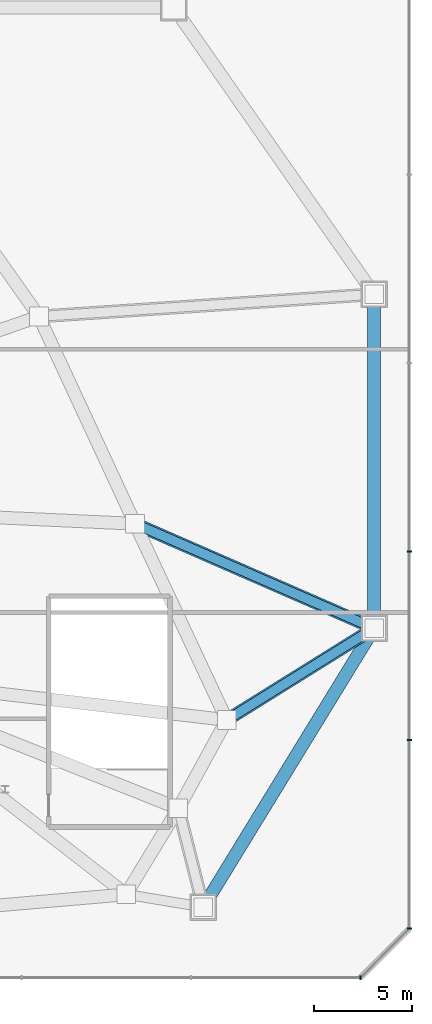
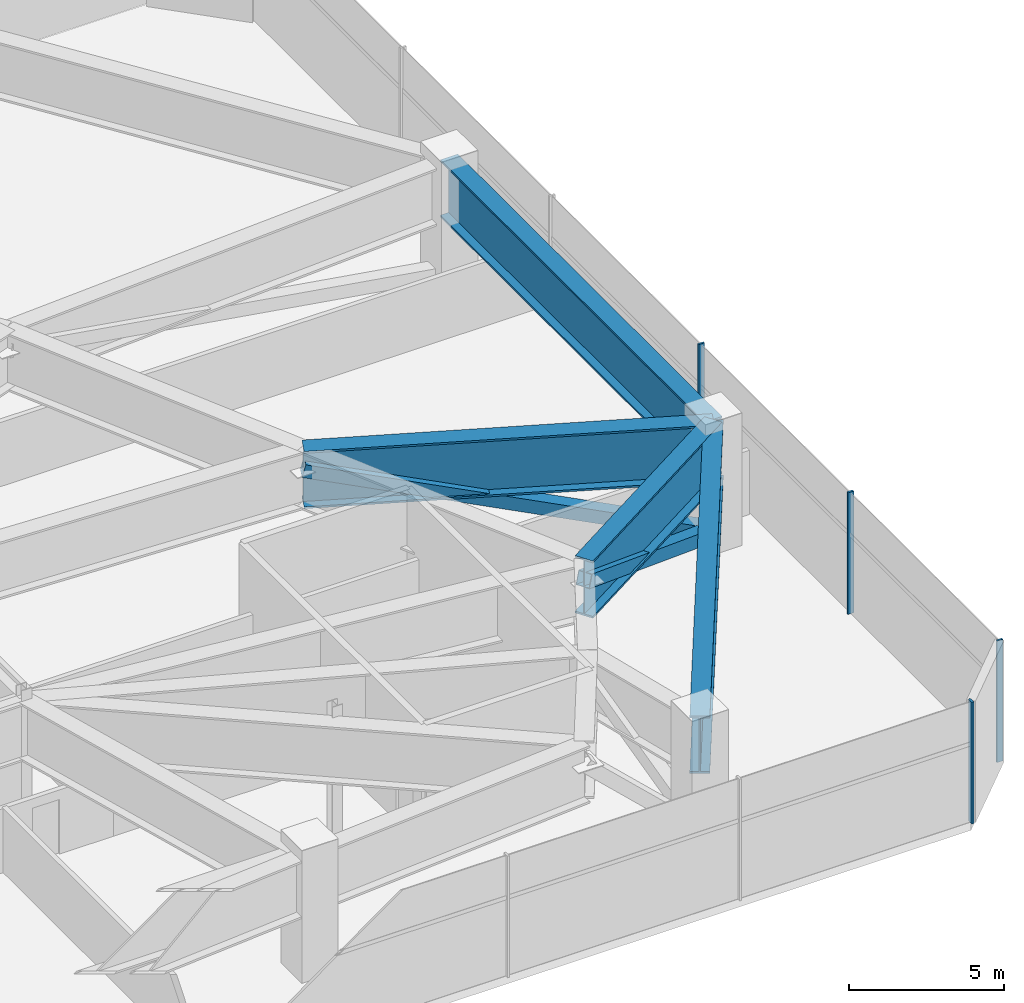
# One storey, part 17 of 29: 6 members, 4 beams, 2 elements without a shape of their own.
"""IFC4 building model written with IfcOpenShell, lengths in metres."""

from ifc_helpers import new_model, si_unit, direction, frame, origin, origin_2d, place, context, subcontext, project, spatial, rectangle, hollow_rectangle, i_section, extrude, source, transform, mapped, material, layer, layer_set, material_profile, profile_set, type_object, type_shapes, element, aggregate, save


model = new_model("IFC4")

# Units and contexts
model_context = context("Model", 3, precision=1e-05, world=origin(), true_north=direction((0.0, 1.0)))
body_context = subcontext(model_context, "Body", "Model", "MODEL_VIEW")
ifc_project = project(units=[si_unit("LENGTHUNIT", "METRE"), si_unit("AREAUNIT", "SQUARE_METRE"), si_unit("VOLUMEUNIT", "CUBIC_METRE"), si_unit("PLANEANGLEUNIT", "RADIAN"), si_unit("MASSUNIT", "GRAM", prefix="KILO")], contexts=[model_context])

# Site, building, storey
site_placement = place(None, origin())
site = spatial("IfcSite", under=ifc_project, at=site_placement, CompositionType="ELEMENT")
building_placement = place(site_placement, origin())
building = spatial("IfcBuilding", under=site, at=building_placement, Name="Varakhsha Concourse Tower", CompositionType="ELEMENT")
storey_placement = place(building_placement, frame((0.0, 0.0, 22.0)))
storey = spatial("IfcBuildingStorey", under=building, at=storey_placement, Name="L05", CompositionType="ELEMENT", Elevation=22.0)

# Beams
ifc_material_1 = material(Name="Structural Steel ASTM A992 Grade 50", Category="steel")
ifc_material_profile_1 = material_profile(ifc_material_1, i_section(OverallWidth=0.64990234375, OverallDepth=2.25, WebThickness=0.0400390625, FlangeThickness=0.074951171875, at=origin_2d()), Name="PG 2250x650x75x40")
ifc_profile_set_1 = profile_set([ifc_material_profile_1], Name="Structural Steel ASTM A992 Grade 50")
beam_type = type_object("IfcBeamType", Name="BM-XFER-PG1650", PredefinedType="USERDEFINED", material=ifc_profile_set_1)
beam_1_placement = place(storey_placement, frame((66.5, 4.60009765625, 3.655029296875), z_axis=(0.522420415639, 0.852688049244, 0.0), x_axis=(-0.852688049244, 0.522420415639, 0.0)))
element("IfcBeam", 1, at=beam_1_placement, inside=storey, type_object=beam_type, Name="L05 Stilt Perimeter Transfer Girder 04", ObjectType="GIRDER", PredefinedType="USERDEFINED", context=body_context, shape_type="SweptSolid", body=[
    extrude(i_section(OverallWidth=0.64990234375, OverallDepth=2.25, WebThickness=0.0400390625, FlangeThickness=0.074951171875, at=origin_2d()), origin(), (0.0, 0.0, 1.0), 16.653076171875),
])
beam_2_placement = place(storey_placement, frame((75.199951171875, 18.800048828125, 3.655029296875), z_axis=(0.0, 1.0, 0.0), x_axis=(-1.0, 0.0, 0.0)))
element("IfcBeam", 2, at=beam_2_placement, inside=storey, type_object=beam_type, Name="L05 Stilt Perimeter Transfer Girder 05", ObjectType="GIRDER", PredefinedType="USERDEFINED", context=body_context, shape_type="SweptSolid", body=[
    extrude(i_section(OverallWidth=0.64990234375, OverallDepth=2.25, WebThickness=0.0400390625, FlangeThickness=0.074951171875, at=origin_2d()), origin(), (0.0, 0.0, 1.0), 17.0),
])
beam_3_placement = place(storey_placement, frame((75.199951171875, 18.800048828125, 3.655029296875), z_axis=(-0.848753079855, -0.52878938098, 0.0), x_axis=(0.52878938098, -0.848753079855, 0.0)))
element("IfcBeam", 3, at=beam_3_placement, inside=storey, type_object=beam_type, Name="L05 Podium Transfer Girder 15", ObjectType="GIRDER", PredefinedType="USERDEFINED", context=body_context, shape_type="SweptSolid", body=[
    extrude(i_section(OverallWidth=0.64990234375, OverallDepth=2.25, WebThickness=0.0400390625, FlangeThickness=0.074951171875, at=origin_2d()), origin(), (0.0, 0.0, 1.0), 8.839599609375),
])
beam_4_placement = place(storey_placement, frame((75.199951171875, 18.800048828125, 3.655029296875), z_axis=(-0.916411934659, 0.400236387668, 0.0), x_axis=(-0.400236387668, -0.916411934659, 0.0)))
element("IfcBeam", 4, at=beam_4_placement, inside=storey, type_object=beam_type, Name="L05 Podium Transfer Girder 16", ObjectType="GIRDER", PredefinedType="USERDEFINED", context=body_context, shape_type="SweptSolid", body=[
    extrude(i_section(OverallWidth=0.64990234375, OverallDepth=2.25, WebThickness=0.0400390625, FlangeThickness=0.074951171875, at=origin_2d()), origin(), (0.0, 0.0, 1.0), 13.283203125),
])

# Members
ifc_material_2 = material(Name="Structural Steel ASTM A500 Grade C", Category="steel")
ifc_material_profile_2 = material_profile(ifc_material_2, hollow_rectangle(XDim=0.5, YDim=0.5, WallThickness=0.02001953125, at=origin_2d()), Name="HSS 500x500x20")
ifc_profile_set_2 = profile_set([ifc_material_profile_2], Name="Structural Steel ASTM A500 Grade C")
member_type_1 = type_object("IfcMemberType", Name="MB-XFER-HSS500", PredefinedType="BRACE", material=ifc_profile_set_2)
shared_shape_1 = source(origin(), body_context, "Body", "SweptSolid", [
    extrude(hollow_rectangle(XDim=0.5, YDim=0.5, WallThickness=0.02001953125, at=origin_2d()), origin(), (0.0, 0.0, 1.0), 13.750732421875),
])
member_1_placement = place(storey_placement, frame((75.199951171875, 18.800048828125, 0.39990234375), z_axis=(-0.885253193083, 0.386628029133, 0.258545066139), x_axis=(-0.400236387668, -0.916411934659, 0.0)))
element("IfcMember", 5, at=member_1_placement, inside=storey, type_object=member_type_1, Name="L05 Transfer Truss Diagonal 16", PredefinedType="BRACE", context=body_context, shape_type="MappedRepresentation", body=[
    mapped(shared_shape_1, transform((0.0, 0.0, 0.0), scale=1.0)),
])
shared_shape_2 = source(origin(), body_context, "Body", "SweptSolid", [
    extrude(hollow_rectangle(XDim=0.5, YDim=0.5, WallThickness=0.02001953125, at=origin_2d()), origin(), (0.0, 0.0, 1.0), 9.52783203125),
])
type_shapes(member_type_1, [shared_shape_1, shared_shape_2])
member_2_placement = place(storey_placement, frame((75.199951171875, 18.800048828125, 0.39990234375), z_axis=(-0.78745279349, -0.490598131664, 0.373137469617), x_axis=(0.52878938098, -0.848753079855, 0.0)))
element("IfcMember", 6, at=member_2_placement, inside=storey, type_object=member_type_1, Name="L05 Transfer Truss Diagonal 15", PredefinedType="BRACE", context=body_context, shape_type="MappedRepresentation", body=[
    mapped(shared_shape_2, transform((0.0, 0.0, 0.0), scale=1.0)),
])

# Curtain wall, member
ifc_material_3 = material(Name="Anodised Bronze Architectural Aluminium AA 6063-T6", Category="aluminium")
ifc_layer = layer(ifc_material_3, 0.260009765625, Name="CW-SYS-06")
ifc_layer_set = layer_set([ifc_layer], Name="Anodised Bronze Architectural Aluminium AA 6063-T6")
curtain_wall_type = type_object("IfcCurtainWallType", Name="CW-SYS-06", PredefinedType="NOTDEFINED", material=ifc_layer_set)
curtain_wall_1_placement = place(storey_placement, origin())
curtain_wall_1 = element("IfcCurtainWall", 7, at=curtain_wall_1_placement, inside=storey, type_object=curtain_wall_type, Name="L05 Podium Curtain Wall 01", PredefinedType="NOTDEFINED")
ifc_material_profile_3 = material_profile(ifc_material_3, rectangle(XDim=0.074951171875, YDim=0.219970703125, at=origin_2d()), Name="CWM-220X75")
ifc_profile_set_3 = profile_set([ifc_material_profile_3], Name="Anodised Bronze Architectural Aluminium AA 6063-T6")
member_type_2 = type_object("IfcMemberType", Name="CWM-220X75", PredefinedType="MULLION", material=ifc_profile_set_3)
shared_shape_3 = source(origin(), body_context, "Body", "SweptSolid", [
    extrude(rectangle(XDim=0.074951171875, YDim=0.219970703125, at=origin_2d()), origin(), (0.0, 0.0, 1.0), 4.780029296875),
])
type_shapes(member_type_2, [shared_shape_3])
member_3_placement = place(storey_placement, frame((74.5, 1.0, 0.0), z_axis=(0.0, 0.0, 1.0), x_axis=(1.0, 0.0, 0.0)))
member_3 = element("IfcMember", 8, at=member_3_placement, type_object=member_type_2, Name="CW-POD-L05-01 Mullion 08", PredefinedType="MULLION", context=body_context, shape_type="MappedRepresentation", body=[
    mapped(shared_shape_3, transform((0.0, 0.0, 0.0), scale=1.0)),
])
aggregate(curtain_wall_1, [member_3])

# Curtain wall, members
curtain_wall_2_placement = place(storey_placement, origin())
curtain_wall_2 = element("IfcCurtainWall", 9, at=curtain_wall_2_placement, inside=storey, type_object=curtain_wall_type, Name="L05 Podium Curtain Wall 03", PredefinedType="NOTDEFINED")
member_4_placement = place(storey_placement, frame((77.0, 3.5, 0.0), z_axis=(0.0, 0.0, 1.0), x_axis=(0.0, 1.0, 0.0)))
member_4 = element("IfcMember", 10, at=member_4_placement, type_object=member_type_2, Name="CW-POD-L05-03 Mullion 00", PredefinedType="MULLION", context=body_context, shape_type="MappedRepresentation", body=[
    mapped(shared_shape_3, transform((0.0, 0.0, 0.0), scale=1.0)),
])
member_5_placement = place(storey_placement, frame((77.0, 13.10009765625, 0.0), z_axis=(0.0, 0.0, 1.0), x_axis=(0.0, 1.0, 0.0)))
member_5 = element("IfcMember", 11, at=member_5_placement, type_object=member_type_2, Name="CW-POD-L05-03 Mullion 01", PredefinedType="MULLION", context=body_context, shape_type="MappedRepresentation", body=[
    mapped(shared_shape_3, transform((0.0, 0.0, 0.0), scale=1.0)),
])
member_6_placement = place(storey_placement, frame((77.0, 22.699951171875, 0.0), z_axis=(0.0, 0.0, 1.0), x_axis=(0.0, 1.0, 0.0)))
member_6 = element("IfcMember", 12, at=member_6_placement, type_object=member_type_2, Name="CW-POD-L05-03 Mullion 02", PredefinedType="MULLION", context=body_context, shape_type="MappedRepresentation", body=[
    mapped(shared_shape_3, transform((0.0, 0.0, 0.0), scale=1.0)),
])
aggregate(curtain_wall_2, [member_4, member_5, member_6])

save(model, "model.ifc")
